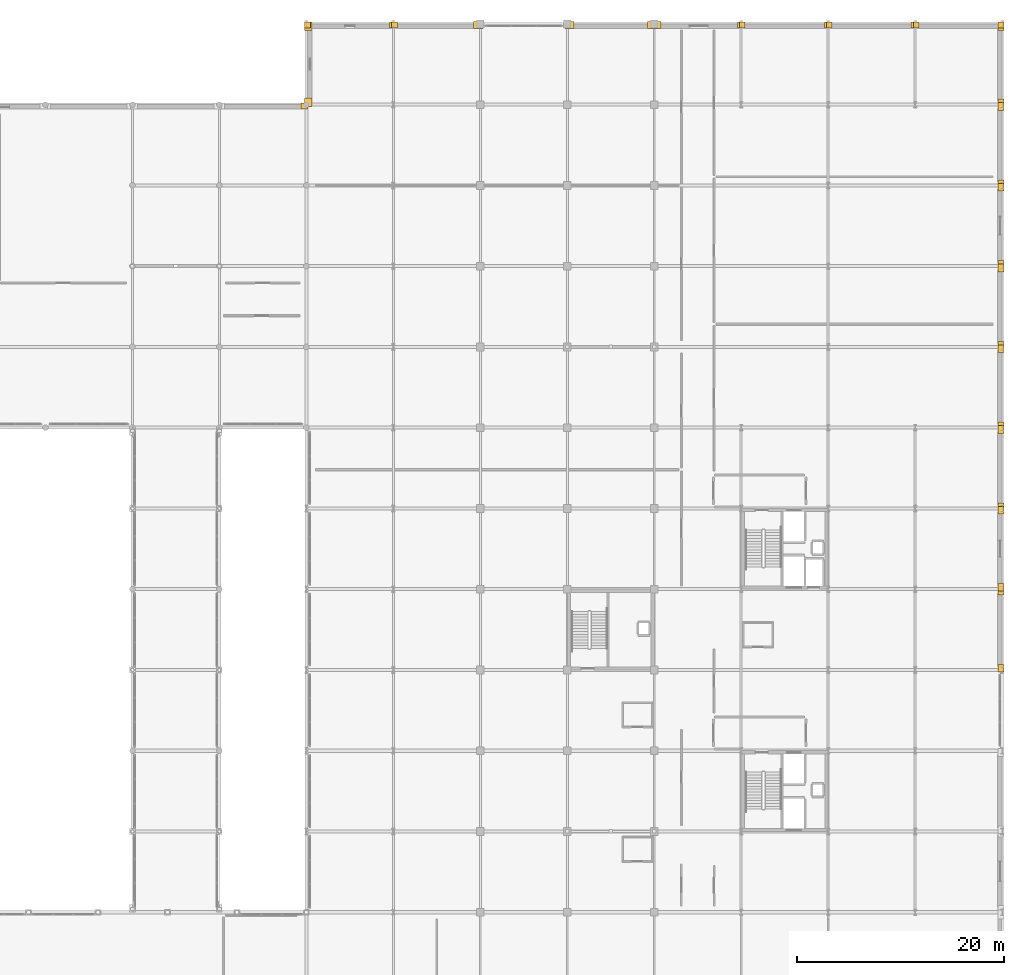
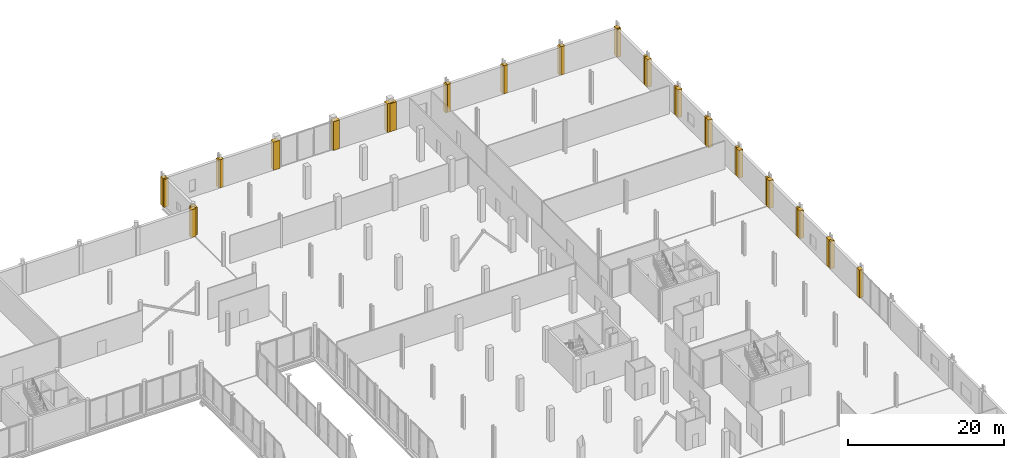
# One storey, part 105 of 105: 33 coverings.
"""IFC4 building model written with IfcOpenShell, lengths in metres."""

from ifc_helpers import new_model, si_unit, direction, frame, origin, place, context, subcontext, project, spatial, polyline, outline, extrude, material, layer, layer_set, type_object, element, save


model = new_model("IFC4")

# Units and contexts
model_context = context("Model", 3, precision=1e-05, world=origin(), true_north=direction((0.0, 1.0)))
body_context = subcontext(model_context, "Body", "Model", "MODEL_VIEW")
ifc_project = project(units=[si_unit("LENGTHUNIT", "METRE"), si_unit("AREAUNIT", "SQUARE_METRE"), si_unit("VOLUMEUNIT", "CUBIC_METRE"), si_unit("PLANEANGLEUNIT", "RADIAN"), si_unit("MASSUNIT", "GRAM", prefix="KILO")], contexts=[model_context])

# Site, building, storey
site_placement = place(None, origin())
site = spatial("IfcSite", under=ifc_project, at=site_placement, CompositionType="ELEMENT")
building_placement = place(site_placement, origin())
building = spatial("IfcBuilding", under=site, at=building_placement, Name="Nabrawat Pavilion Hospital", CompositionType="ELEMENT")
storey_placement = place(building_placement, frame((0.0, 0.0, 5.10009765625)))
storey = spatial("IfcBuildingStorey", under=building, at=storey_placement, Name="L01", CompositionType="ELEMENT", Elevation=5.10009765625)

# Coverings
ifc_material = material(Name="Precast concrete C40/50", Category="concrete")
ifc_layer = layer(ifc_material, 0.360107421875, Name="Precast concrete C40/50")
ifc_layer_set = layer_set([ifc_layer], Name="Precast concrete C40/50")
covering_type = type_object("IfcCoveringType", Name="Architectural Precast Column-Jamb Closure Reveal", PredefinedType="CLADDING", material=ifc_layer_set)
covering_1_placement = place(storey_placement, origin())
element("IfcCovering", 1, at=covering_1_placement, inside=storey, type_object=covering_type, Name="L01 Precast Facade Column-Jamb Weatherseal Closure 0238", PredefinedType="CLADDING", context=body_context, shape_type="SweptSolid", body=[
    extrude(outline(polyline([(126.179931640625, 116.60009765625), (126.179931640625, 117.179931640625), (125.4951171875, 117.179931640625), (125.4951171875, 116.60009765625), (126.179931640625, 116.60009765625)])), origin(), (0.0, 0.0, 1.0), 4.329833984375),
])
covering_2_placement = place(storey_placement, origin())
element("IfcCovering", 2, at=covering_2_placement, inside=storey, type_object=covering_type, Name="L01 Precast Facade Column-Jamb Weatherseal Closure 0257", PredefinedType="CLADDING", context=body_context, shape_type="SweptSolid", body=[
    extrude(outline(polyline([(126.52001953125, 116.820068359375), (126.52001953125, 117.6201171875), (125.820068359375, 117.6201171875), (125.820068359375, 116.820068359375), (126.52001953125, 116.820068359375)])), origin(), (0.0, 0.0, 1.0), 4.329833984375),
])
covering_3_placement = place(storey_placement, origin())
element("IfcCovering", 3, at=covering_3_placement, inside=storey, type_object=covering_type, Name="L01 Precast Facade Column-Jamb Weatherseal Closure 0258", PredefinedType="CLADDING", context=body_context, shape_type="SweptSolid", body=[
    extrude(outline(polyline([(126.52001953125, 124.1650390625), (126.52001953125, 124.9951171875), (125.820068359375, 124.9951171875), (125.820068359375, 124.1650390625), (126.52001953125, 124.1650390625)])), origin(), (0.0, 0.0, 1.0), 4.329833984375),
])
covering_4_placement = place(storey_placement, origin())
element("IfcCovering", 4, at=covering_4_placement, inside=storey, type_object=covering_type, Name="L01 Precast Facade Column-Jamb Weatherseal Closure 0259", PredefinedType="CLADDING", context=body_context, shape_type="SweptSolid", body=[
    extrude(outline(polyline([(126.3798828125, 124.385009765625), (126.3798828125, 124.9951171875), (125.820068359375, 124.9951171875), (125.820068359375, 124.385009765625), (126.3798828125, 124.385009765625)])), origin(), (0.0, 0.0, 1.0), 4.3798828125),
])
covering_5_placement = place(storey_placement, origin())
element("IfcCovering", 5, at=covering_5_placement, inside=storey, type_object=covering_type, Name="L01 Precast Facade Column-Jamb Weatherseal Closure 0260", PredefinedType="CLADDING", context=body_context, shape_type="SweptSolid", body=[
    extrude(outline(polyline([(134.580078125, 124.385009765625), (134.580078125, 124.9951171875), (134.02001953125, 124.9951171875), (134.02001953125, 124.385009765625), (134.580078125, 124.385009765625)])), origin(), (0.0, 0.0, 1.0), 4.3798828125),
])
covering_6_placement = place(storey_placement, origin())
element("IfcCovering", 6, at=covering_6_placement, inside=storey, type_object=covering_type, Name="L01 Precast Facade Column-Jamb Weatherseal Closure 0261", PredefinedType="CLADDING", context=body_context, shape_type="SweptSolid", body=[
    extrude(outline(polyline([(134.780029296875, 124.385009765625), (134.780029296875, 124.9951171875), (134.219970703125, 124.9951171875), (134.219970703125, 124.385009765625), (134.780029296875, 124.385009765625)])), origin(), (0.0, 0.0, 1.0), 4.3798828125),
])
covering_7_placement = place(storey_placement, origin())
element("IfcCovering", 7, at=covering_7_placement, inside=storey, type_object=covering_type, Name="L01 Precast Facade Column-Jamb Weatherseal Closure 0262", PredefinedType="CLADDING", context=body_context, shape_type="SweptSolid", body=[
    extrude(outline(polyline([(143.043701171875, 124.336181640625), (143.043701171875, 125.043701171875), (142.131103515625, 125.043701171875), (142.131103515625, 124.336181640625), (143.043701171875, 124.336181640625)])), origin(), (0.0, 0.0, 1.0), 4.3798828125),
])
covering_8_placement = place(storey_placement, origin())
element("IfcCovering", 8, at=covering_8_placement, inside=storey, type_object=covering_type, Name="L01 Precast Facade Column-Jamb Weatherseal Closure 0263", PredefinedType="CLADDING", context=body_context, shape_type="SweptSolid", body=[
    extrude(outline(polyline([(151.868896484375, 124.336181640625), (151.868896484375, 125.043701171875), (150.956298828125, 125.043701171875), (150.956298828125, 124.336181640625), (151.868896484375, 124.336181640625)])), origin(), (0.0, 0.0, 1.0), 4.489990234375),
])
covering_9_placement = place(storey_placement, origin())
element("IfcCovering", 9, at=covering_9_placement, inside=storey, type_object=covering_type, Name="L01 Precast Facade Column-Jamb Weatherseal Closure 0264", PredefinedType="CLADDING", context=body_context, shape_type="SweptSolid", body=[
    extrude(outline(polyline([(159.84375, 124.336181640625), (159.84375, 125.043701171875), (158.931396484375, 125.043701171875), (158.931396484375, 124.336181640625), (159.84375, 124.336181640625)])), origin(), (0.0, 0.0, 1.0), 4.489990234375),
])
covering_10_placement = place(storey_placement, origin())
element("IfcCovering", 10, at=covering_10_placement, inside=storey, type_object=covering_type, Name="L01 Precast Facade Column-Jamb Weatherseal Closure 0265", PredefinedType="CLADDING", context=body_context, shape_type="SweptSolid", body=[
    extrude(outline(polyline([(160.268798828125, 124.336181640625), (160.268798828125, 125.043701171875), (159.356201171875, 125.043701171875), (159.356201171875, 124.336181640625), (160.268798828125, 124.336181640625)])), origin(), (0.0, 0.0, 1.0), 4.3798828125),
])
covering_11_placement = place(storey_placement, origin())
element("IfcCovering", 11, at=covering_11_placement, inside=storey, type_object=covering_type, Name="L01 Precast Facade Column-Jamb Weatherseal Closure 0266", PredefinedType="CLADDING", context=body_context, shape_type="SweptSolid", body=[
    extrude(outline(polyline([(168.179931640625, 124.385009765625), (168.179931640625, 124.9951171875), (167.6201171875, 124.9951171875), (167.6201171875, 124.385009765625), (168.179931640625, 124.385009765625)])), origin(), (0.0, 0.0, 1.0), 4.3798828125),
])
covering_12_placement = place(storey_placement, origin())
element("IfcCovering", 12, at=covering_12_placement, inside=storey, type_object=covering_type, Name="L01 Precast Facade Column-Jamb Weatherseal Closure 0267", PredefinedType="CLADDING", context=body_context, shape_type="SweptSolid", body=[
    extrude(outline(polyline([(168.3798828125, 124.385009765625), (168.3798828125, 124.9951171875), (167.820068359375, 124.9951171875), (167.820068359375, 124.385009765625), (168.3798828125, 124.385009765625)])), origin(), (0.0, 0.0, 1.0), 4.3798828125),
])
covering_13_placement = place(storey_placement, origin())
element("IfcCovering", 13, at=covering_13_placement, inside=storey, type_object=covering_type, Name="L01 Precast Facade Column-Jamb Weatherseal Closure 0268", PredefinedType="CLADDING", context=body_context, shape_type="SweptSolid", body=[
    extrude(outline(polyline([(176.580078125, 124.385009765625), (176.580078125, 124.9951171875), (176.02001953125, 124.9951171875), (176.02001953125, 124.385009765625), (176.580078125, 124.385009765625)])), origin(), (0.0, 0.0, 1.0), 4.3798828125),
])
covering_14_placement = place(storey_placement, origin())
element("IfcCovering", 14, at=covering_14_placement, inside=storey, type_object=covering_type, Name="L01 Precast Facade Column-Jamb Weatherseal Closure 0269", PredefinedType="CLADDING", context=body_context, shape_type="SweptSolid", body=[
    extrude(outline(polyline([(176.780029296875, 124.385009765625), (176.780029296875, 124.9951171875), (176.219970703125, 124.9951171875), (176.219970703125, 124.385009765625), (176.780029296875, 124.385009765625)])), origin(), (0.0, 0.0, 1.0), 4.3798828125),
])
covering_15_placement = place(storey_placement, origin())
element("IfcCovering", 15, at=covering_15_placement, inside=storey, type_object=covering_type, Name="L01 Precast Facade Column-Jamb Weatherseal Closure 0270", PredefinedType="CLADDING", context=body_context, shape_type="SweptSolid", body=[
    extrude(outline(polyline([(184.97998046875, 124.385009765625), (184.97998046875, 124.9951171875), (184.419921875, 124.9951171875), (184.419921875, 124.385009765625), (184.97998046875, 124.385009765625)])), origin(), (0.0, 0.0, 1.0), 4.3798828125),
])
covering_16_placement = place(storey_placement, origin())
element("IfcCovering", 16, at=covering_16_placement, inside=storey, type_object=covering_type, Name="L01 Precast Facade Column-Jamb Weatherseal Closure 0271", PredefinedType="CLADDING", context=body_context, shape_type="SweptSolid", body=[
    extrude(outline(polyline([(185.179931640625, 124.385009765625), (185.179931640625, 124.9951171875), (184.6201171875, 124.9951171875), (184.6201171875, 124.385009765625), (185.179931640625, 124.385009765625)])), origin(), (0.0, 0.0, 1.0), 4.3798828125),
])
covering_17_placement = place(storey_placement, origin())
element("IfcCovering", 17, at=covering_17_placement, inside=storey, type_object=covering_type, Name="L01 Precast Facade Column-Jamb Weatherseal Closure 0272", PredefinedType="CLADDING", context=body_context, shape_type="SweptSolid", body=[
    extrude(outline(polyline([(193.3798828125, 124.385009765625), (193.3798828125, 124.9951171875), (192.820068359375, 124.9951171875), (192.820068359375, 124.385009765625), (193.3798828125, 124.385009765625)])), origin(), (0.0, 0.0, 1.0), 4.3798828125),
])
covering_18_placement = place(storey_placement, origin())
element("IfcCovering", 18, at=covering_18_placement, inside=storey, type_object=covering_type, Name="L01 Precast Facade Column-Jamb Weatherseal Closure 0285", PredefinedType="CLADDING", context=body_context, shape_type="SweptSolid", body=[
    extrude(outline(polyline([(193.3798828125, 62.205078125), (193.3798828125, 62.945068359375), (192.800048828125, 62.945068359375), (192.800048828125, 62.205078125), (193.3798828125, 62.205078125)])), origin(), (0.0, 0.0, 1.0), 4.329833984375),
])
covering_19_placement = place(storey_placement, origin())
element("IfcCovering", 19, at=covering_19_placement, inside=storey, type_object=covering_type, Name="L01 Precast Facade Column-Jamb Weatherseal Closure 0286", PredefinedType="CLADDING", context=body_context, shape_type="SweptSolid", body=[
    extrude(outline(polyline([(193.3798828125, 69.655029296875), (193.3798828125, 70.39501953125), (192.800048828125, 70.39501953125), (192.800048828125, 69.655029296875), (193.3798828125, 69.655029296875)])), origin(), (0.0, 0.0, 1.0), 4.329833984375),
])
covering_20_placement = place(storey_placement, origin())
element("IfcCovering", 20, at=covering_20_placement, inside=storey, type_object=covering_type, Name="L01 Precast Facade Column-Jamb Weatherseal Closure 0287", PredefinedType="CLADDING", context=body_context, shape_type="SweptSolid", body=[
    extrude(outline(polyline([(193.3798828125, 70.0048828125), (193.3798828125, 70.7451171875), (192.800048828125, 70.7451171875), (192.800048828125, 70.0048828125), (193.3798828125, 70.0048828125)])), origin(), (0.0, 0.0, 1.0), 4.329833984375),
])
covering_21_placement = place(storey_placement, origin())
element("IfcCovering", 21, at=covering_21_placement, inside=storey, type_object=covering_type, Name="L01 Precast Facade Column-Jamb Weatherseal Closure 0288", PredefinedType="CLADDING", context=body_context, shape_type="SweptSolid", body=[
    extrude(outline(polyline([(193.3798828125, 77.455078125), (193.3798828125, 78.195068359375), (192.800048828125, 78.195068359375), (192.800048828125, 77.455078125), (193.3798828125, 77.455078125)])), origin(), (0.0, 0.0, 1.0), 4.329833984375),
])
covering_22_placement = place(storey_placement, origin())
element("IfcCovering", 22, at=covering_22_placement, inside=storey, type_object=covering_type, Name="L01 Precast Facade Column-Jamb Weatherseal Closure 0289", PredefinedType="CLADDING", context=body_context, shape_type="SweptSolid", body=[
    extrude(outline(polyline([(193.3798828125, 77.804931640625), (193.3798828125, 78.544921875), (192.800048828125, 78.544921875), (192.800048828125, 77.804931640625), (193.3798828125, 77.804931640625)])), origin(), (0.0, 0.0, 1.0), 4.329833984375),
])
covering_23_placement = place(storey_placement, origin())
element("IfcCovering", 23, at=covering_23_placement, inside=storey, type_object=covering_type, Name="L01 Precast Facade Column-Jamb Weatherseal Closure 0290", PredefinedType="CLADDING", context=body_context, shape_type="SweptSolid", body=[
    extrude(outline(polyline([(193.3798828125, 85.2548828125), (193.3798828125, 85.9951171875), (192.800048828125, 85.9951171875), (192.800048828125, 85.2548828125), (193.3798828125, 85.2548828125)])), origin(), (0.0, 0.0, 1.0), 4.329833984375),
])
covering_24_placement = place(storey_placement, origin())
element("IfcCovering", 24, at=covering_24_placement, inside=storey, type_object=covering_type, Name="L01 Precast Facade Column-Jamb Weatherseal Closure 0291", PredefinedType="CLADDING", context=body_context, shape_type="SweptSolid", body=[
    extrude(outline(polyline([(193.3798828125, 85.60498046875), (193.3798828125, 86.344970703125), (192.800048828125, 86.344970703125), (192.800048828125, 85.60498046875), (193.3798828125, 85.60498046875)])), origin(), (0.0, 0.0, 1.0), 4.329833984375),
])
covering_25_placement = place(storey_placement, origin())
element("IfcCovering", 25, at=covering_25_placement, inside=storey, type_object=covering_type, Name="L01 Precast Facade Column-Jamb Weatherseal Closure 0292", PredefinedType="CLADDING", context=body_context, shape_type="SweptSolid", body=[
    extrude(outline(polyline([(193.3798828125, 93.054931640625), (193.3798828125, 93.794921875), (192.800048828125, 93.794921875), (192.800048828125, 93.054931640625), (193.3798828125, 93.054931640625)])), origin(), (0.0, 0.0, 1.0), 4.329833984375),
])
covering_26_placement = place(storey_placement, origin())
element("IfcCovering", 26, at=covering_26_placement, inside=storey, type_object=covering_type, Name="L01 Precast Facade Column-Jamb Weatherseal Closure 0293", PredefinedType="CLADDING", context=body_context, shape_type="SweptSolid", body=[
    extrude(outline(polyline([(193.3798828125, 93.405029296875), (193.3798828125, 94.14501953125), (192.800048828125, 94.14501953125), (192.800048828125, 93.405029296875), (193.3798828125, 93.405029296875)])), origin(), (0.0, 0.0, 1.0), 4.329833984375),
])
covering_27_placement = place(storey_placement, origin())
element("IfcCovering", 27, at=covering_27_placement, inside=storey, type_object=covering_type, Name="L01 Precast Facade Column-Jamb Weatherseal Closure 0294", PredefinedType="CLADDING", context=body_context, shape_type="SweptSolid", body=[
    extrude(outline(polyline([(193.3798828125, 100.85498046875), (193.3798828125, 101.594970703125), (192.800048828125, 101.594970703125), (192.800048828125, 100.85498046875), (193.3798828125, 100.85498046875)])), origin(), (0.0, 0.0, 1.0), 4.329833984375),
])
covering_28_placement = place(storey_placement, origin())
element("IfcCovering", 28, at=covering_28_placement, inside=storey, type_object=covering_type, Name="L01 Precast Facade Column-Jamb Weatherseal Closure 0295", PredefinedType="CLADDING", context=body_context, shape_type="SweptSolid", body=[
    extrude(outline(polyline([(193.3798828125, 101.205078125), (193.3798828125, 101.945068359375), (192.800048828125, 101.945068359375), (192.800048828125, 101.205078125), (193.3798828125, 101.205078125)])), origin(), (0.0, 0.0, 1.0), 4.329833984375),
])
covering_29_placement = place(storey_placement, origin())
element("IfcCovering", 29, at=covering_29_placement, inside=storey, type_object=covering_type, Name="L01 Precast Facade Column-Jamb Weatherseal Closure 0296", PredefinedType="CLADDING", context=body_context, shape_type="SweptSolid", body=[
    extrude(outline(polyline([(193.3798828125, 108.655029296875), (193.3798828125, 109.39501953125), (192.800048828125, 109.39501953125), (192.800048828125, 108.655029296875), (193.3798828125, 108.655029296875)])), origin(), (0.0, 0.0, 1.0), 4.329833984375),
])
covering_30_placement = place(storey_placement, origin())
element("IfcCovering", 30, at=covering_30_placement, inside=storey, type_object=covering_type, Name="L01 Precast Facade Column-Jamb Weatherseal Closure 0297", PredefinedType="CLADDING", context=body_context, shape_type="SweptSolid", body=[
    extrude(outline(polyline([(193.3798828125, 109.0048828125), (193.3798828125, 109.7451171875), (192.800048828125, 109.7451171875), (192.800048828125, 109.0048828125), (193.3798828125, 109.0048828125)])), origin(), (0.0, 0.0, 1.0), 4.329833984375),
])
covering_31_placement = place(storey_placement, origin())
element("IfcCovering", 31, at=covering_31_placement, inside=storey, type_object=covering_type, Name="L01 Precast Facade Column-Jamb Weatherseal Closure 0298", PredefinedType="CLADDING", context=body_context, shape_type="SweptSolid", body=[
    extrude(outline(polyline([(193.3798828125, 116.455078125), (193.3798828125, 117.195068359375), (192.800048828125, 117.195068359375), (192.800048828125, 116.455078125), (193.3798828125, 116.455078125)])), origin(), (0.0, 0.0, 1.0), 4.329833984375),
])
covering_32_placement = place(storey_placement, origin())
element("IfcCovering", 32, at=covering_32_placement, inside=storey, type_object=covering_type, Name="L01 Precast Facade Column-Jamb Weatherseal Closure 0299", PredefinedType="CLADDING", context=body_context, shape_type="SweptSolid", body=[
    extrude(outline(polyline([(193.3798828125, 116.804931640625), (193.3798828125, 117.544921875), (192.800048828125, 117.544921875), (192.800048828125, 116.804931640625), (193.3798828125, 116.804931640625)])), origin(), (0.0, 0.0, 1.0), 4.329833984375),
])
covering_33_placement = place(storey_placement, origin())
element("IfcCovering", 33, at=covering_33_placement, inside=storey, type_object=covering_type, Name="L01 Precast Facade Column-Jamb Weatherseal Closure 0300", PredefinedType="CLADDING", context=body_context, shape_type="SweptSolid", body=[
    extrude(outline(polyline([(193.3798828125, 124.1650390625), (193.3798828125, 124.9951171875), (192.800048828125, 124.9951171875), (192.800048828125, 124.1650390625), (193.3798828125, 124.1650390625)])), origin(), (0.0, 0.0, 1.0), 4.329833984375),
])

save(model, "model.ifc")
